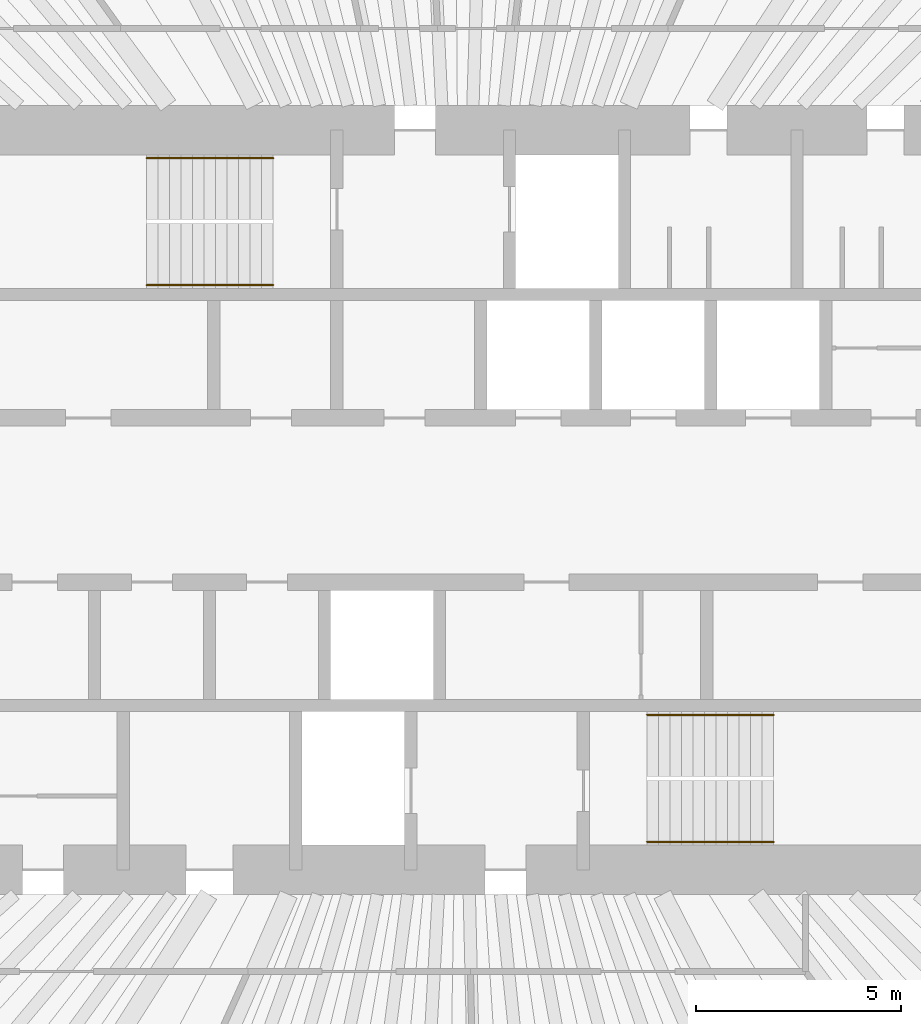
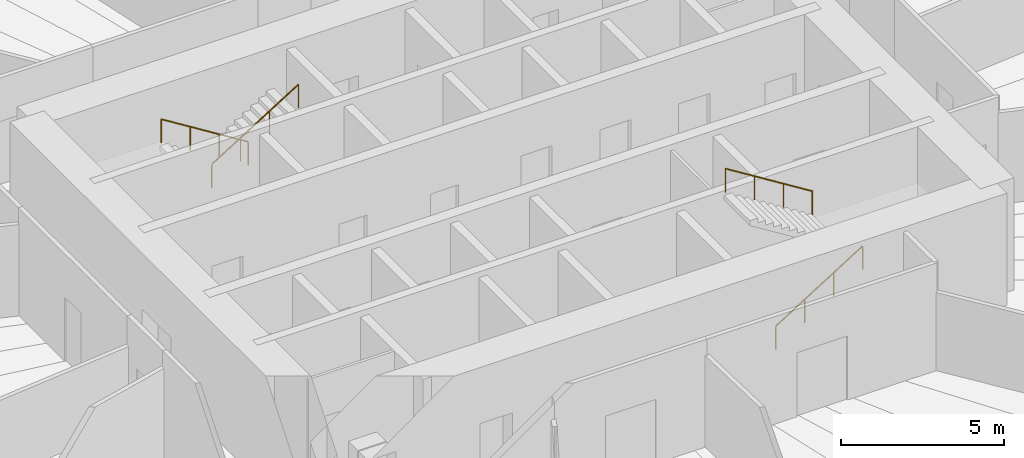
# One storey, part 14 of 14: 4 railings.
"""IFC4 building model written with IfcOpenShell, lengths in metres."""

import ifcopenshell
import ifcopenshell.guid

model = None  # the IFC model being written
_history = None  # IfcOwnerHistory: only IFC2X3 demands one
_inside = {}  # id of a spatial element -> (the spatial element, [elements in it])
_under = {}  # id of a project, library or spatial element -> (it, [spatial elements below it])
_declared = {}  # id of a project -> (the project, [libraries it declares])
_typed = {}  # id of a type object -> (the type object, [elements of that type])
_made_of = {}  # id of a material, layer set ... -> (it, [elements and type objects made of it])


def new_model(schema):
    """Start an empty IFC model of exactly this schema.

    Asked for "IFC4X3", IfcOpenShell would pick the latest addendum, in which some entities
    have other attributes; the version numbers below select the first issue.
    IFC2X3 requires an IfcOwnerHistory on every rooted entity: one is made here for all.
    """
    global model, _history
    if schema == "IFC4X3":
        model = ifcopenshell.file(schema_version=(4, 3, 0, 0))
    else:
        model = ifcopenshell.file(schema=schema)
    _inside.clear()
    _under.clear()
    _declared.clear()
    _typed.clear()
    _made_of.clear()
    _history = None
    if model.schema == "IFC2X3":
        org = make("IfcOrganization", Name="unknown")
        user = make(
            "IfcPersonAndOrganization",
            ThePerson=make("IfcPerson", FamilyName="unknown"),
            TheOrganization=org,
        )
        app = make(
            "IfcApplication",
            ApplicationDeveloper=org,
            Version="unknown",
            ApplicationFullName="unknown",
            ApplicationIdentifier="unknown",
        )
        _history = make(
            "IfcOwnerHistory",
            OwningUser=user,
            OwningApplication=app,
            ChangeAction="ADDED",
            CreationDate=0,
        )
    return model


def make(cls, **values):
    """One entity of the class cls with the attributes given. An attribute that is None is left unset."""
    return model.create_entity(
        cls, **{name: value for name, value in values.items() if value is not None}
    )


def rooted(cls, **values):
    """An entity with a GlobalId (a new one), such as an element, a storey or a relation."""
    return make(cls, GlobalId=ifcopenshell.guid.new(), OwnerHistory=_history, **values)


def si_unit(unit_type, name, prefix=None):
    """IfcSIUnit, for example si_unit("LENGTHUNIT", "METRE", prefix="MILLI")."""
    return make("IfcSIUnit", UnitType=unit_type, Prefix=prefix, Name=name)


def assignment(units):
    """IfcUnitAssignment: the units of a project."""
    return None if units is None else make("IfcUnitAssignment", Units=units)


def point(xyz):
    """IfcCartesianPoint."""
    return None if xyz is None else make("IfcCartesianPoint", Coordinates=xyz)


def direction(xyz):
    """IfcDirection."""
    return None if xyz is None else make("IfcDirection", DirectionRatios=xyz)


def frame(location, z_axis=None, x_axis=None):
    """IfcAxis2Placement3D, a coordinate frame: its origin and axes. An axis left out is left unset."""
    return make(
        "IfcAxis2Placement3D",
        Location=point(location),
        Axis=direction(z_axis),
        RefDirection=direction(x_axis),
    )


def frame_2d(location, x_axis=None):
    """IfcAxis2Placement2D, a coordinate frame in the plane: its origin and x axis."""
    return make(
        "IfcAxis2Placement2D", Location=point(location), RefDirection=direction(x_axis)
    )


def origin():
    """The frame at (0, 0, 0) with its axes left unset."""
    return frame((0.0, 0.0, 0.0))


def origin_2d():
    """The frame at (0, 0) in the plane with its x axis left unset."""
    return frame_2d((0.0, 0.0))


def place(relative_to, where):
    """IfcLocalPlacement: puts the frame where relative to a parent placement (None: the world)."""
    return make(
        "IfcLocalPlacement", PlacementRelTo=relative_to, RelativePlacement=where
    )


def context(
    kind, dimensions, precision=None, world=None, true_north=None, identifier=None
):
    """IfcGeometricRepresentationContext, for example the 3D "Model" context."""
    return make(
        "IfcGeometricRepresentationContext",
        ContextIdentifier=identifier,
        ContextType=kind,
        CoordinateSpaceDimension=dimensions,
        Precision=precision,
        WorldCoordinateSystem=world,
        TrueNorth=true_north,
    )


def subcontext(parent, identifier, kind, view, scale=None):
    """IfcGeometricRepresentationSubContext, for example "Body" below "Model"."""
    return make(
        "IfcGeometricRepresentationSubContext",
        ContextIdentifier=identifier,
        ContextType=kind,
        ParentContext=parent,
        TargetScale=scale,
        TargetView=view,
    )


def project(units=None, contexts=None):
    """IfcProject with its units and contexts."""
    return rooted(
        "IfcProject",
        Name="project",
        RepresentationContexts=contexts,
        UnitsInContext=assignment(units),
    )


def spatial(cls, under=None, at=None, **own):
    """A site, building, storey or space (cls), placed at a placement, below another one or the project."""
    s = rooted(cls, ObjectPlacement=at, **own)
    if under is not None:
        _under.setdefault(under.id(), (under, []))[1].append(s)
    return s


def profile(cls, at=None, kind="AREA", **sizes):
    """A parametric profile (cls). Its sizes go by their IFC names, for example OverallWidth=200.0."""
    return make(cls, ProfileType=kind, Position=at, **sizes)


def circle(**sizes):
    """IfcCircleProfileDef."""
    return profile("IfcCircleProfileDef", **sizes)


def extrude(swept, where, along, depth):
    """IfcExtrudedAreaSolid: the profile swept, set in the frame where, extruded along a direction by depth."""
    return make(
        "IfcExtrudedAreaSolid",
        SweptArea=swept,
        Position=where,
        ExtrudedDirection=direction(along),
        Depth=depth,
    )


def shape(context_of_items, identifier, shape_type, items):
    """IfcShapeRepresentation: the items that make up one representation, for example the "Body"."""
    return make(
        "IfcShapeRepresentation",
        ContextOfItems=context_of_items,
        RepresentationIdentifier=identifier,
        RepresentationType=shape_type,
        Items=items,
    )


def material(Name=None, Category=None):
    """IfcMaterial."""
    return make("IfcMaterial", Name=Name, Category=Category)


def made_of(thing, what):
    """Note that an element or type object is made of a material, layer set ...; save() writes the relation."""
    if what is not None:
        _made_of.setdefault(what.id(), (what, []))[1].append(thing)
    return thing


def type_object(cls, material=None, **own):
    """A type object (cls), such as IfcWallType, which elements share."""
    return made_of(rooted(cls, **own), material)


def element(
    cls,
    number,
    at=None,
    inside=None,
    cuts=None,
    type_object=None,
    material=None,
    context=None,
    identifier="Body",
    shape_type=None,
    held_by="IfcProductDefinitionShape",
    body=None,
    shapes=None,
    **own,
):
    """One element of the class cls, such as IfcWall. Its Tag is "e" and its number.

    at: its placement. inside: the storey or other place that contains it. cuts: it is an
    opening in that element (IfcRelVoidsElement). A single representation is given by context,
    identifier, shape_type and body (its items); several are given by shapes. held_by: the class
    of the entity that holds the representations. save() writes the other relations.
    """
    e = rooted(cls, Tag="e%d" % number, ObjectPlacement=at, **own)
    if body is not None:
        shapes = [shape(context, identifier, shape_type, body)]
    if shapes is not None:
        e.Representation = make(held_by, Representations=shapes)
    if inside is not None:
        _inside.setdefault(inside.id(), (inside, []))[1].append(e)
    if cuts is not None:
        rooted(
            "IfcRelVoidsElement", RelatingBuildingElement=cuts, RelatedOpeningElement=e
        )
    if type_object is not None:
        _typed.setdefault(type_object.id(), (type_object, []))[1].append(e)
    return made_of(e, material)


def aggregate(whole, parts):
    """IfcRelAggregates: a whole, such as a stair, and the parts it consists of."""
    return rooted("IfcRelAggregates", RelatingObject=whole, RelatedObjects=parts)


def save(model, path):
    """Write the relations noted so far, then the file.

    IfcRelAggregates (storeys below a building ...), IfcRelContainedInSpatialStructure (elements
    in a storey), IfcRelDefinesByType, IfcRelAssociatesMaterial and IfcRelDeclares: one each for
    every whole, place, type object, material and project.
    """
    for whole, parts in _under.values():
        aggregate(whole, parts)
    for where, things in _inside.values():
        rooted(
            "IfcRelContainedInSpatialStructure",
            RelatedElements=things,
            RelatingStructure=where,
        )
    for kind, things in _typed.values():
        rooted("IfcRelDefinesByType", RelatedObjects=things, RelatingType=kind)
    for what, things in _made_of.values():
        rooted("IfcRelAssociatesMaterial", RelatedObjects=things, RelatingMaterial=what)
    for by, libraries in _declared.values():
        rooted("IfcRelDeclares", RelatingContext=by, RelatedDefinitions=libraries)
    model.write(path)


model = new_model("IFC4")

# Units and contexts
model_context = context("Model", 3, precision=1e-05, world=origin(), true_north=direction((0.0, 1.0)))
body_context = subcontext(model_context, "Body", "Model", "MODEL_VIEW")
ifc_project = project(units=[si_unit("LENGTHUNIT", "METRE"), si_unit("AREAUNIT", "SQUARE_METRE"), si_unit("VOLUMEUNIT", "CUBIC_METRE"), si_unit("PLANEANGLEUNIT", "RADIAN"), si_unit("MASSUNIT", "GRAM", prefix="KILO")], contexts=[model_context])

# Site, building, storey
site_placement = place(None, origin())
site = spatial("IfcSite", under=ifc_project, at=site_placement, CompositionType="ELEMENT")
building_placement = place(site_placement, origin())
building = spatial("IfcBuilding", under=site, at=building_placement, Name="Qingtian Harvest Tower", CompositionType="ELEMENT")
storey_placement = place(building_placement, frame((0.0, 0.0, 197.199951171875)))
storey = spatial("IfcBuildingStorey", under=building, at=storey_placement, Name="L42", CompositionType="ELEMENT", Elevation=197.199951171875)

# Railings
ifc_material = material(Name="Stainless steel handrail", Category="steel")
railing_type = type_object("IfcRailingType", Name="Handrail HR1", PredefinedType="HANDRAIL", material=ifc_material)
railing_1_placement = place(storey_placement, frame((-4.550048828125, 8.320068359375, 0.175048828125)))
element("IfcRailing", 1, at=railing_1_placement, inside=storey, type_object=railing_type, Name="Handrail HR1 S1 flight 1", PredefinedType="HANDRAIL", context=body_context, shape_type="SweptSolid", body=[
    extrude(circle(Radius=0.02392578125, at=origin_2d()), frame((0.0, 0.0, 0.8759765625), z_axis=(-0.847979421464, 0.0, 0.530029150871), x_axis=(0.0, -1.0, 0.0)), (0.0, 0.0, 1.0), 3.632080078125),
    extrude(circle(Radius=0.02099609375, at=origin_2d()), origin(), (0.0, 0.0, 1.0), 0.851806640625),
    extrude(circle(Radius=0.02099609375, at=origin_2d()), frame((-1.026611328125, 0.0, 0.6416015625)), (0.0, 0.0, 1.0), 0.851806640625),
    extrude(circle(Radius=0.02099609375, at=origin_2d()), frame((-2.05322265625, 0.0, 1.283447265625)), (0.0, 0.0, 1.0), 0.851806640625),
    extrude(circle(Radius=0.02099609375, at=origin_2d()), frame((-3.079833984375, 0.0, 1.925048828125)), (0.0, 0.0, 1.0), 0.851806640625),
])
railing_2_placement = place(storey_placement, frame((-7.6298828125, 5.22998046875, 2.275146484375)))
element("IfcRailing", 2, at=railing_2_placement, inside=storey, type_object=railing_type, Name="Handrail HR1 S1 flight 2", PredefinedType="HANDRAIL", context=body_context, shape_type="SweptSolid", body=[
    extrude(circle(Radius=0.02392578125, at=origin_2d()), frame((0.0, 0.0, 0.8759765625), z_axis=(0.848009633417, 0.0, 0.529980812513), x_axis=(0.0, 1.0, 0.0)), (0.0, 0.0, 1.0), 3.6318359375),
    extrude(circle(Radius=0.02099609375, at=origin_2d()), origin(), (0.0, 0.0, 1.0), 0.851806640625),
    extrude(circle(Radius=0.02099609375, at=origin_2d()), frame((1.026611328125, 0.0, 0.6416015625)), (0.0, 0.0, 1.0), 0.851806640625),
    extrude(circle(Radius=0.02099609375, at=origin_2d()), frame((2.05322265625, 0.0, 1.283203125)), (0.0, 0.0, 1.0), 0.851806640625),
    extrude(circle(Radius=0.02099609375, at=origin_2d()), frame((3.079833984375, 0.0, 1.9248046875)), (0.0, 0.0, 1.0), 0.851806640625),
])
railing_3_placement = place(storey_placement, frame((4.550048828125, -8.320068359375, 0.175048828125)))
element("IfcRailing", 3, at=railing_3_placement, inside=storey, type_object=railing_type, Name="Handrail HR1 S2 flight 1", PredefinedType="HANDRAIL", context=body_context, shape_type="SweptSolid", body=[
    extrude(circle(Radius=0.02392578125, at=origin_2d()), frame((0.0, 0.0, 0.8759765625), z_axis=(0.847979421464, 0.0, 0.530029150871), x_axis=(0.0, 1.0, 0.0)), (0.0, 0.0, 1.0), 3.632080078125),
    extrude(circle(Radius=0.02099609375, at=origin_2d()), origin(), (0.0, 0.0, 1.0), 0.851806640625),
    extrude(circle(Radius=0.02099609375, at=origin_2d()), frame((1.026611328125, 0.0, 0.6416015625)), (0.0, 0.0, 1.0), 0.851806640625),
    extrude(circle(Radius=0.02099609375, at=origin_2d()), frame((2.05322265625, 0.0, 1.283447265625)), (0.0, 0.0, 1.0), 0.851806640625),
    extrude(circle(Radius=0.02099609375, at=origin_2d()), frame((3.079833984375, 0.0, 1.925048828125)), (0.0, 0.0, 1.0), 0.851806640625),
])
railing_4_placement = place(storey_placement, frame((7.6298828125, -5.22998046875, 2.275146484375)))
element("IfcRailing", 4, at=railing_4_placement, inside=storey, type_object=railing_type, Name="Handrail HR1 S2 flight 2", PredefinedType="HANDRAIL", context=body_context, shape_type="SweptSolid", body=[
    extrude(circle(Radius=0.02392578125, at=origin_2d()), frame((0.0, 0.0, 0.8759765625), z_axis=(-0.848009633417, 0.0, 0.529980812513), x_axis=(0.0, -1.0, 0.0)), (0.0, 0.0, 1.0), 3.6318359375),
    extrude(circle(Radius=0.02099609375, at=origin_2d()), origin(), (0.0, 0.0, 1.0), 0.851806640625),
    extrude(circle(Radius=0.02099609375, at=origin_2d()), frame((-1.026611328125, 0.0, 0.6416015625)), (0.0, 0.0, 1.0), 0.851806640625),
    extrude(circle(Radius=0.02099609375, at=origin_2d()), frame((-2.05322265625, 0.0, 1.283203125)), (0.0, 0.0, 1.0), 0.851806640625),
    extrude(circle(Radius=0.02099609375, at=origin_2d()), frame((-3.079833984375, 0.0, 1.9248046875)), (0.0, 0.0, 1.0), 0.851806640625),
])

save(model, "model.ifc")
